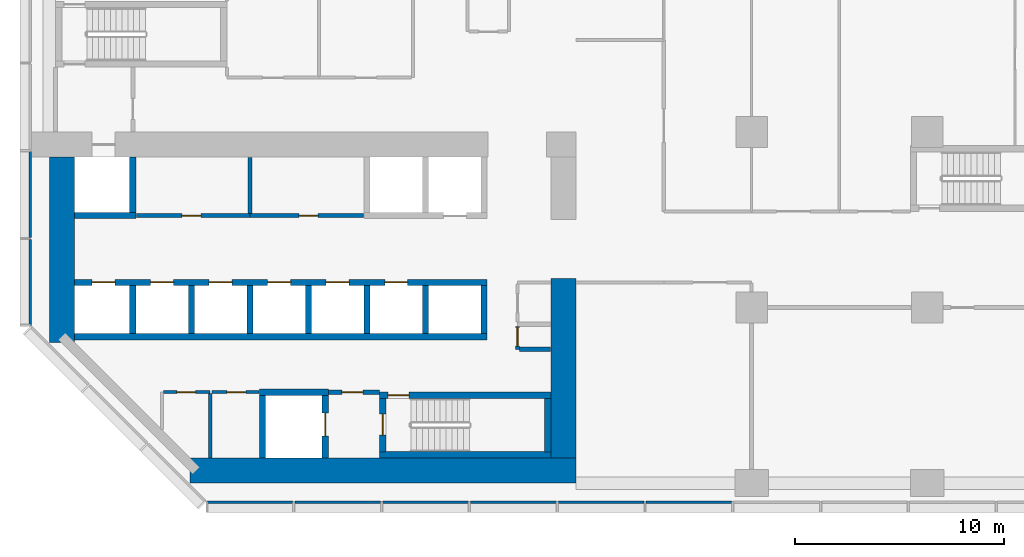
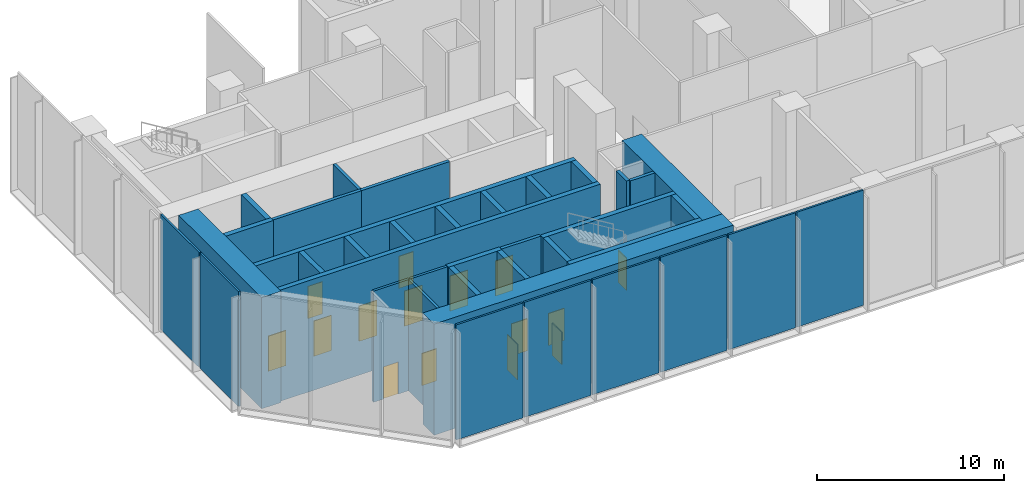
# One storey, part 7 of 16: 38 walls, 15 doors, 15 openings.
"""IFC4 building model written with IfcOpenShell, lengths in metres."""

from ifc_helpers import new_model, si_unit, direction, frame, frame_2d, origin, place, context, subcontext, project, spatial, polyline, rectangle, outline, extrude, material, layer, layer_set, type_object, element, fill, save


model = new_model("IFC4")

# Units and contexts
model_context = context("Model", 3, precision=1e-05, world=origin(), true_north=direction((0.0, 1.0)))
body_context = subcontext(model_context, "Body", "Model", "MODEL_VIEW")
ifc_project = project(units=[si_unit("LENGTHUNIT", "METRE"), si_unit("AREAUNIT", "SQUARE_METRE"), si_unit("VOLUMEUNIT", "CUBIC_METRE"), si_unit("PLANEANGLEUNIT", "RADIAN"), si_unit("MASSUNIT", "GRAM", prefix="KILO")], contexts=[model_context])

# Site, building, storey
site_placement = place(None, origin())
site = spatial("IfcSite", under=ifc_project, at=site_placement, CompositionType="ELEMENT")
building_placement = place(site_placement, origin())
building = spatial("IfcBuilding", under=site, at=building_placement, Name="Brevane Broadcast Tower", CompositionType="ELEMENT")
storey_placement = place(building_placement, frame((0.0, 0.0, 12.5)))
storey = spatial("IfcBuildingStorey", under=building, at=storey_placement, Name="L02", CompositionType="ELEMENT", Elevation=12.5)

# Wall, opening, door
ifc_material_1 = material(Name="Gypsum board on steel studs", Category="steel")
ifc_layer_1 = layer(ifc_material_1, 0.14990234375)
ifc_layer_set_1 = layer_set([ifc_layer_1], Name="Core fire partition 150 mm")
wall_type_1 = type_object("IfcWallType", Name="Core fire partition 150 mm", PredefinedType="PARTITIONING", material=ifc_layer_set_1)
wall_1_placement = place(storey_placement, frame((5.47509765625, 4.35009765625, 0.0), z_axis=(0.0, 0.0, 1.0), x_axis=(1.0, 0.0, 0.0)))
wall_1 = element("IfcWall", 1, at=wall_1_placement, inside=storey, type_object=wall_type_1, Name="L02 partition wall P11", PredefinedType="PARTITIONING", context=body_context, shape_type="SweptSolid", body=[
    extrude(rectangle(XDim=2.224853515625, YDim=0.14990234375, at=frame_2d((1.1123046875, 0.0))), origin(), (0.0, 0.0, 1.0), 7.25),
])
opening_1_placement = place(wall_1_placement, frame((0.625, 0.0, 0.0)))
opening_1 = element("IfcOpeningElement", 2, at=opening_1_placement, cuts=wall_1, Name="Opening L02-K19", PredefinedType="OPENING", context=body_context, shape_type="SweptSolid", body=[
    extrude(rectangle(XDim=0.89990234375, YDim=2.10009765625, at=frame_2d((0.449951171875, 1.050048828125))), frame((0.0, 0.0849609375, 0.0), z_axis=(0.0, -1.0, 0.0), x_axis=(1.0, 0.0, 0.0)), (0.0, 0.0, 1.0), 0.169921875),
])
ifc_material_2 = material(Name="Timber", Category="wood")
door_type_1 = type_object("IfcDoorType", Name="Toilet door 900 x 2100", OperationType="SINGLE_SWING_LEFT", PredefinedType="DOOR", material=ifc_material_2)
door_1_placement = place(opening_1_placement, origin())
door_1 = element("IfcDoor", 3, at=door_1_placement, inside=storey, type_object=door_type_1, Name="Door L02-K19", OperationType="SINGLE_SWING_LEFT", OverallHeight=2.10009765625, OverallWidth=0.89990234375, PredefinedType="DOOR", context=body_context, shape_type="SweptSolid", body=[
    extrude(rectangle(XDim=0.89990234375, YDim=2.10009765625, at=frame_2d((0.449951171875, 1.050048828125))), frame((0.0, 0.02490234375, 0.0), z_axis=(0.0, -1.0, 0.0), x_axis=(1.0, 0.0, 0.0)), (0.0, 0.0, 1.0), 0.050048828125),
])
fill(opening_1, door_1)

# Wall
wall_2_placement = place(storey_placement, frame((7.699951171875, 4.27490234375, 0.0), z_axis=(0.0, 0.0, 1.0), x_axis=(0.0, -1.0, 0.0)))
element("IfcWall", 4, at=wall_2_placement, inside=storey, type_object=wall_type_1, Name="L02 partition wall P12", PredefinedType="PARTITIONING", context=body_context, shape_type="SweptSolid", body=[
    extrude(rectangle(XDim=3.06298828125, YDim=0.14990234375, at=frame_2d((1.531494140625, 0.0))), origin(), (0.0, 0.0, 1.0), 7.25),
])

# Wall, opening, door
wall_3_placement = place(storey_placement, frame((10.0380859375, 4.35009765625, 0.0), z_axis=(0.0, 0.0, 1.0), x_axis=(-1.0, 0.0, 0.0)))
wall_3 = element("IfcWall", 5, at=wall_3_placement, inside=storey, type_object=wall_type_1, Name="L02 partition wall P13", PredefinedType="PARTITIONING", context=body_context, shape_type="SweptSolid", body=[
    extrude(rectangle(XDim=2.26318359375, YDim=0.14990234375, at=frame_2d((1.131591796875, 0.0))), origin(), (0.0, 0.0, 1.0), 7.25),
])
opening_2_placement = place(wall_3_placement, frame((0.637939453125, 0.0, 0.0)))
opening_2 = element("IfcOpeningElement", 6, at=opening_2_placement, cuts=wall_3, Name="Opening L02-K20", PredefinedType="OPENING", context=body_context, shape_type="SweptSolid", body=[
    extrude(rectangle(XDim=0.89990234375, YDim=2.10009765625, at=frame_2d((0.449951171875, 1.050048828125))), frame((0.0, 0.0849609375, 0.0), z_axis=(0.0, -1.0, 0.0), x_axis=(1.0, 0.0, 0.0)), (0.0, 0.0, 1.0), 0.169921875),
])
door_2_placement = place(opening_2_placement, origin())
door_2 = element("IfcDoor", 7, at=door_2_placement, inside=storey, type_object=door_type_1, Name="Door L02-K20", OperationType="SINGLE_SWING_RIGHT", OverallHeight=2.10009765625, OverallWidth=0.89990234375, PredefinedType="DOOR", context=body_context, shape_type="SweptSolid", body=[
    extrude(rectangle(XDim=0.89990234375, YDim=2.10009765625, at=frame_2d((0.449951171875, 1.050048828125))), frame((0.0, 0.02490234375, 0.0), z_axis=(0.0, -1.0, 0.0), x_axis=(1.0, 0.0, 0.0)), (0.0, 0.0, 1.0), 0.050048828125),
])
fill(opening_2, door_2)

ifc_layer_2 = layer(ifc_material_1, 0.199951171875)
ifc_layer_set_2 = layer_set([ifc_layer_2], Name="Core fire partition 200 mm")
wall_type_2 = type_object("IfcWallType", Name="Core fire partition 200 mm", PredefinedType="PARTITIONING", material=ifc_layer_set_2)
wall_4_placement = place(storey_placement, frame((13.362060546875, 4.35009765625, 0.0), z_axis=(0.0, 0.0, 1.0), x_axis=(1.0, 0.0, 0.0)))
wall_4 = element("IfcWall", 8, at=wall_4_placement, inside=storey, type_object=wall_type_2, Name="L02 partition wall P03", PredefinedType="PARTITIONING", context=body_context, shape_type="SweptSolid", body=[
    extrude(rectangle(XDim=2.426025390625, YDim=0.199951171875, at=frame_2d((1.212890625, 0.0))), origin(), (0.0, 0.0, 1.0), 7.25),
])
opening_3_placement = place(wall_4_placement, frame((0.637939453125, 0.0, 0.0)))
opening_3 = element("IfcOpeningElement", 9, at=opening_3_placement, cuts=wall_4, Name="Opening L02-K21", PredefinedType="OPENING", context=body_context, shape_type="SweptSolid", body=[
    extrude(rectangle(XDim=1.0, YDim=2.10009765625, at=frame_2d((0.5, 1.050048828125))), frame((0.0, 0.10986328125, 0.0), z_axis=(0.0, -1.0, 0.0), x_axis=(1.0, 0.0, 0.0)), (0.0, 0.0, 1.0), 0.219970703125),
])
ifc_material_3 = material(Name="Steel", Category="steel")
door_type_2 = type_object("IfcDoorType", Name="Stair door 1000 x 2100", OperationType="SINGLE_SWING_LEFT", PredefinedType="DOOR", material=ifc_material_3)
door_3_placement = place(opening_3_placement, origin())
door_3 = element("IfcDoor", 10, at=door_3_placement, inside=storey, type_object=door_type_2, Name="Door L02-K21", OperationType="SINGLE_SWING_LEFT", OverallHeight=2.10009765625, OverallWidth=1.0, PredefinedType="DOOR", context=body_context, shape_type="SweptSolid", body=[
    extrude(rectangle(XDim=1.0, YDim=2.10009765625, at=frame_2d((0.5, 1.050048828125))), frame((0.0, 0.02490234375, 0.0), z_axis=(0.0, -1.0, 0.0), x_axis=(1.0, 0.0, 0.0)), (0.0, 0.0, 1.0), 0.050048828125),
])
fill(opening_3, door_3)

wall_5_placement = place(storey_placement, frame((4.162109375, 12.800048828125, 0.0), z_axis=(0.0, 0.0, 1.0), x_axis=(1.0, 0.0, 0.0)))
wall_5 = element("IfcWall", 11, at=wall_5_placement, inside=storey, type_object=wall_type_2, Name="L02 partition wall P04", PredefinedType="PARTITIONING", context=body_context, shape_type="SweptSolid", body=[
    extrude(rectangle(XDim=5.43798828125, YDim=0.199951171875, at=frame_2d((2.718994140625, 0.0))), origin(), (0.0, 0.0, 1.0), 7.25),
])
opening_4_placement = place(wall_5_placement, frame((2.18798828125, 0.0, 0.0)))
opening_4 = element("IfcOpeningElement", 12, at=opening_4_placement, cuts=wall_5, Name="Opening L02-K24", PredefinedType="OPENING", context=body_context, shape_type="SweptSolid", body=[
    extrude(rectangle(XDim=0.89990234375, YDim=2.10009765625, at=frame_2d((0.449951171875, 1.050048828125))), frame((0.0, 0.10986328125, 0.0), z_axis=(0.0, -1.0, 0.0), x_axis=(1.0, 0.0, 0.0)), (0.0, 0.0, 1.0), 0.219970703125),
])
door_type_3 = type_object("IfcDoorType", Name="Service room door 900 x 2100", OperationType="SINGLE_SWING_LEFT", PredefinedType="DOOR", material=ifc_material_3)
door_4_placement = place(opening_4_placement, origin())
door_4 = element("IfcDoor", 13, at=door_4_placement, inside=storey, type_object=door_type_3, Name="Door L02-K24", OperationType="SINGLE_SWING_RIGHT", OverallHeight=2.10009765625, OverallWidth=0.89990234375, PredefinedType="DOOR", context=body_context, shape_type="SweptSolid", body=[
    extrude(rectangle(XDim=0.89990234375, YDim=2.10009765625, at=frame_2d((0.449951171875, 1.050048828125))), frame((0.0, 0.02490234375, 0.0), z_axis=(0.0, -1.0, 0.0), x_axis=(1.0, 0.0, 0.0)), (0.0, 0.0, 1.0), 0.050048828125),
])
fill(opening_4, door_4)

wall_6_placement = place(storey_placement, frame((9.60009765625, 12.800048828125, 0.0), z_axis=(0.0, 0.0, 1.0), x_axis=(1.0, 0.0, 0.0)))
wall_6 = element("IfcWall", 14, at=wall_6_placement, inside=storey, type_object=wall_type_2, Name="L02 partition wall P05", PredefinedType="PARTITIONING", context=body_context, shape_type="SweptSolid", body=[
    extrude(rectangle(XDim=5.43798828125, YDim=0.199951171875, at=frame_2d((2.718994140625, 0.0))), origin(), (0.0, 0.0, 1.0), 7.25),
])
opening_5_placement = place(wall_6_placement, frame((2.35009765625, 0.0, 0.0)))
opening_5 = element("IfcOpeningElement", 15, at=opening_5_placement, cuts=wall_6, Name="Opening L02-K25", PredefinedType="OPENING", context=body_context, shape_type="SweptSolid", body=[
    extrude(rectangle(XDim=0.89990234375, YDim=2.10009765625, at=frame_2d((0.449951171875, 1.050048828125))), frame((0.0, 0.10986328125, 0.0), z_axis=(0.0, -1.0, 0.0), x_axis=(1.0, 0.0, 0.0)), (0.0, 0.0, 1.0), 0.219970703125),
])
door_5_placement = place(opening_5_placement, origin())
door_5 = element("IfcDoor", 16, at=door_5_placement, inside=storey, type_object=door_type_3, Name="Door L02-K25", OperationType="SINGLE_SWING_LEFT", OverallHeight=2.10009765625, OverallWidth=0.89990234375, PredefinedType="DOOR", context=body_context, shape_type="SweptSolid", body=[
    extrude(rectangle(XDim=0.89990234375, YDim=2.10009765625, at=frame_2d((0.449951171875, 1.050048828125))), frame((0.0, 0.02490234375, 0.0), z_axis=(0.0, -1.0, 0.0), x_axis=(1.0, 0.0, 0.0)), (0.0, 0.0, 1.0), 0.050048828125),
])
fill(opening_5, door_5)

# Wall
wall_7_placement = place(storey_placement, frame((9.60009765625, 15.587890625, 0.0), z_axis=(0.0, 0.0, 1.0), x_axis=(0.0, -1.0, 0.0)))
element("IfcWall", 17, at=wall_7_placement, inside=storey, type_object=wall_type_2, Name="L02 partition wall P06", PredefinedType="PARTITIONING", context=body_context, shape_type="SweptSolid", body=[
    extrude(rectangle(XDim=2.68798828125, YDim=0.199951171875, at=frame_2d((1.343994140625, 0.0))), origin(), (0.0, 0.0, 1.0), 7.25),
])

# Wall, opening, door
wall_8_placement = place(storey_placement, frame((22.39990234375, 7.5, 0.0), z_axis=(0.0, 0.0, 1.0), x_axis=(0.0, -1.0, 0.0)))
wall_8 = element("IfcWall", 18, at=wall_8_placement, inside=storey, type_object=wall_type_2, Name="L02 partition wall P08", PredefinedType="PARTITIONING", context=body_context, shape_type="SweptSolid", body=[
    extrude(rectangle(XDim=1.10009765625, YDim=0.199951171875, at=frame_2d((0.550048828125, 0.0))), origin(), (0.0, 0.0, 1.0), 7.25),
])
opening_6_placement = place(wall_8_placement, frame((0.050048828125, 0.0, 0.0)))
opening_6 = element("IfcOpeningElement", 19, at=opening_6_placement, cuts=wall_8, Name="Opening L02-K22", PredefinedType="OPENING", context=body_context, shape_type="SweptSolid", body=[
    extrude(rectangle(XDim=0.89990234375, YDim=2.10009765625, at=frame_2d((0.449951171875, 1.050048828125))), frame((0.0, 0.10986328125, 0.0), z_axis=(0.0, -1.0, 0.0), x_axis=(1.0, 0.0, 0.0)), (0.0, 0.0, 1.0), 0.219970703125),
])
door_6_placement = place(opening_6_placement, origin())
door_6 = element("IfcDoor", 20, at=door_6_placement, inside=storey, type_object=door_type_3, Name="Door L02-K22", OperationType="SINGLE_SWING_RIGHT", OverallHeight=2.10009765625, OverallWidth=0.89990234375, PredefinedType="DOOR", context=body_context, shape_type="SweptSolid", body=[
    extrude(rectangle(XDim=0.89990234375, YDim=2.10009765625, at=frame_2d((0.449951171875, 1.050048828125))), frame((0.0, 0.02490234375, 0.0), z_axis=(0.0, -1.0, 0.0), x_axis=(1.0, 0.0, 0.0)), (0.0, 0.0, 1.0), 0.050048828125),
])
fill(opening_6, door_6)

# Walls
wall_9_placement = place(storey_placement, frame((22.5, 6.39990234375, 0.0), z_axis=(0.0, 0.0, 1.0), x_axis=(1.0, 0.0, 0.0)))
element("IfcWall", 21, at=wall_9_placement, inside=storey, type_object=wall_type_2, Name="L02 partition wall P09", PredefinedType="PARTITIONING", context=body_context, shape_type="SweptSolid", body=[
    extrude(rectangle(XDim=1.488037109375, YDim=0.199951171875, at=frame_2d((0.744140625, 0.0))), origin(), (0.0, 0.0, 1.0), 7.25),
])
ifc_material_4 = material(Name="Concrete C80/95", Category="concrete")
ifc_layer_3 = layer(ifc_material_4, 1.199951171875)
ifc_layer_set_3 = layer_set([ifc_layer_3], Name="Core wall 1200 mm C80/95")
wall_type_3 = type_object("IfcWallType", Name="Core wall 1200 mm C80/95", PredefinedType="SHEAR", material=ifc_layer_set_3)
wall_10_placement = place(storey_placement, frame((6.736328125, 0.60009765625, 0.0), z_axis=(0.0, 0.0, 1.0), x_axis=(1.0, 0.0, 0.0)))
element("IfcWall", 22, at=wall_10_placement, inside=storey, type_object=wall_type_3, Name="L02 outer wall WS", PredefinedType="SHEAR", context=body_context, shape_type="SweptSolid", body=[
    extrude(rectangle(XDim=18.463623046875, YDim=1.199951171875, at=frame_2d((9.23193359375, 0.0))), origin(), (0.0, 0.0, 1.0), 7.25),
])
wall_11_placement = place(storey_placement, frame((0.60009765625, 6.736328125, 0.0), z_axis=(0.0, 0.0, 1.0), x_axis=(0.0, 1.0, 0.0)))
element("IfcWall", 23, at=wall_11_placement, inside=storey, type_object=wall_type_3, Name="L02 outer wall WW", PredefinedType="SHEAR", context=body_context, shape_type="SweptSolid", body=[
    extrude(rectangle(XDim=8.86376953125, YDim=1.199951171875, at=frame_2d((4.431884765625, 0.0))), origin(), (0.0, 0.0, 1.0), 7.25),
])
wall_12_placement = place(storey_placement, frame((24.60009765625, 1.199951171875, 0.0), z_axis=(0.0, 0.0, 1.0), x_axis=(0.0, 1.0, 0.0)))
element("IfcWall", 24, at=wall_12_placement, inside=storey, type_object=wall_type_3, Name="L02 outer wall WE1", PredefinedType="SHEAR", context=body_context, shape_type="SweptSolid", body=[
    extrude(rectangle(XDim=8.60009765625, YDim=1.199951171875, at=frame_2d((4.300048828125, 0.0))), origin(), (0.0, 0.0, 1.0), 7.25),
])
ifc_layer_4 = layer(ifc_material_4, 0.300048828125)
ifc_layer_set_4 = layer_set([ifc_layer_4], Name="Core wall 300 mm C80/95")
wall_type_4 = type_object("IfcWallType", Name="Core wall 300 mm C80/95", PredefinedType="SHEAR", material=ifc_layer_set_4)
wall_13_placement = place(storey_placement, frame((1.199951171875, 7.0, 0.0), z_axis=(0.0, 0.0, 1.0), x_axis=(1.0, 0.0, 0.0)))
element("IfcWall", 25, at=wall_13_placement, inside=storey, type_object=wall_type_4, Name="L02 shaft wall SH-S012-back", PredefinedType="SHEAR", context=body_context, shape_type="SweptSolid", body=[
    extrude(rectangle(XDim=19.75, YDim=0.300048828125, at=frame_2d((9.875, 0.0))), origin(), (0.0, 0.0, 1.0), 7.25),
])

# Wall, openings, doors
wall_14_placement = place(storey_placement, frame((1.199951171875, 9.60009765625, 0.0), z_axis=(0.0, 0.0, 1.0), x_axis=(1.0, 0.0, 0.0)))
wall_14 = element("IfcWall", 26, at=wall_14_placement, inside=storey, type_object=wall_type_4, Name="L02 shaft wall SH-S012-front", PredefinedType="SHEAR", context=body_context, shape_type="SweptSolid", body=[
    extrude(rectangle(XDim=19.75, YDim=0.300048828125, at=frame_2d((9.875, 0.0))), origin(), (0.0, 0.0, 1.0), 7.25),
])
opening_7_placement = place(wall_14_placement, frame((0.85009765625, 0.0, 0.0)))
opening_7 = element("IfcOpeningElement", 27, at=opening_7_placement, cuts=wall_14, Name="Opening LD", PredefinedType="OPENING", context=body_context, shape_type="SweptSolid", body=[
    extrude(rectangle(XDim=1.10009765625, YDim=2.300048828125, at=frame_2d((0.550048828125, 1.14990234375))), frame((0.0, 0.159912109375, 0.0), z_axis=(0.0, -1.0, 0.0), x_axis=(1.0, 0.0, 0.0)), (0.0, 0.0, 1.0), 0.320068359375),
])
opening_8_placement = place(wall_14_placement, frame((3.64990234375, 0.0, 0.0)))
opening_8 = element("IfcOpeningElement", 28, at=opening_8_placement, cuts=wall_14, Name="Opening LD", PredefinedType="OPENING", context=body_context, shape_type="SweptSolid", body=[
    extrude(rectangle(XDim=1.10009765625, YDim=2.300048828125, at=frame_2d((0.550048828125, 1.14990234375))), frame((0.0, 0.159912109375, 0.0), z_axis=(0.0, -1.0, 0.0), x_axis=(1.0, 0.0, 0.0)), (0.0, 0.0, 1.0), 0.320068359375),
])
opening_9_placement = place(wall_14_placement, frame((6.449951171875, 0.0, 0.0)))
opening_9 = element("IfcOpeningElement", 29, at=opening_9_placement, cuts=wall_14, Name="Opening LD", PredefinedType="OPENING", context=body_context, shape_type="SweptSolid", body=[
    extrude(rectangle(XDim=1.10009765625, YDim=2.300048828125, at=frame_2d((0.550048828125, 1.14990234375))), frame((0.0, 0.159912109375, 0.0), z_axis=(0.0, -1.0, 0.0), x_axis=(1.0, 0.0, 0.0)), (0.0, 0.0, 1.0), 0.320068359375),
])
opening_10_placement = place(wall_14_placement, frame((9.25, 0.0, 0.0)))
opening_10 = element("IfcOpeningElement", 30, at=opening_10_placement, cuts=wall_14, Name="Opening LD", PredefinedType="OPENING", context=body_context, shape_type="SweptSolid", body=[
    extrude(rectangle(XDim=1.10009765625, YDim=2.300048828125, at=frame_2d((0.550048828125, 1.14990234375))), frame((0.0, 0.159912109375, 0.0), z_axis=(0.0, -1.0, 0.0), x_axis=(1.0, 0.0, 0.0)), (0.0, 0.0, 1.0), 0.320068359375),
])
opening_11_placement = place(wall_14_placement, frame((12.050048828125, 0.0, 0.0)))
opening_11 = element("IfcOpeningElement", 31, at=opening_11_placement, cuts=wall_14, Name="Opening LD", PredefinedType="OPENING", context=body_context, shape_type="SweptSolid", body=[
    extrude(rectangle(XDim=1.10009765625, YDim=2.300048828125, at=frame_2d((0.550048828125, 1.14990234375))), frame((0.0, 0.159912109375, 0.0), z_axis=(0.0, -1.0, 0.0), x_axis=(1.0, 0.0, 0.0)), (0.0, 0.0, 1.0), 0.320068359375),
])
opening_12_placement = place(wall_14_placement, frame((14.85009765625, 0.0, 0.0)))
opening_12 = element("IfcOpeningElement", 32, at=opening_12_placement, cuts=wall_14, Name="Opening LD", PredefinedType="OPENING", context=body_context, shape_type="SweptSolid", body=[
    extrude(rectangle(XDim=1.10009765625, YDim=2.300048828125, at=frame_2d((0.550048828125, 1.14990234375))), frame((0.0, 0.159912109375, 0.0), z_axis=(0.0, -1.0, 0.0), x_axis=(1.0, 0.0, 0.0)), (0.0, 0.0, 1.0), 0.320068359375),
])
ifc_material_5 = material(Name="Stainless steel", Category="steel")
door_type_4 = type_object("IfcDoorType", Name="Lift landing door", OperationType="SLIDING_TO_LEFT", PredefinedType="DOOR", material=ifc_material_5)
door_7_placement = place(opening_7_placement, origin())
door_7 = element("IfcDoor", 33, at=door_7_placement, inside=storey, type_object=door_type_4, Name="Landing door LR1 L02", OperationType="SLIDING_TO_LEFT", OverallHeight=2.300048828125, OverallWidth=1.10009765625, PredefinedType="DOOR", context=body_context, shape_type="SweptSolid", body=[
    extrude(rectangle(XDim=1.10009765625, YDim=2.300048828125, at=frame_2d((0.550048828125, 1.14990234375))), frame((0.0, 0.02490234375, 0.0), z_axis=(0.0, -1.0, 0.0), x_axis=(1.0, 0.0, 0.0)), (0.0, 0.0, 1.0), 0.050048828125),
])
fill(opening_7, door_7)
door_8_placement = place(opening_8_placement, origin())
door_8 = element("IfcDoor", 34, at=door_8_placement, inside=storey, type_object=door_type_4, Name="Landing door LR2 L02", OperationType="SLIDING_TO_LEFT", OverallHeight=2.300048828125, OverallWidth=1.10009765625, PredefinedType="DOOR", context=body_context, shape_type="SweptSolid", body=[
    extrude(rectangle(XDim=1.10009765625, YDim=2.300048828125, at=frame_2d((0.550048828125, 1.14990234375))), frame((0.0, 0.02490234375, 0.0), z_axis=(0.0, -1.0, 0.0), x_axis=(1.0, 0.0, 0.0)), (0.0, 0.0, 1.0), 0.050048828125),
])
fill(opening_8, door_8)
door_9_placement = place(opening_9_placement, origin())
door_9 = element("IfcDoor", 35, at=door_9_placement, inside=storey, type_object=door_type_4, Name="Landing door LR3 L02", OperationType="SLIDING_TO_LEFT", OverallHeight=2.300048828125, OverallWidth=1.10009765625, PredefinedType="DOOR", context=body_context, shape_type="SweptSolid", body=[
    extrude(rectangle(XDim=1.10009765625, YDim=2.300048828125, at=frame_2d((0.550048828125, 1.14990234375))), frame((0.0, 0.02490234375, 0.0), z_axis=(0.0, -1.0, 0.0), x_axis=(1.0, 0.0, 0.0)), (0.0, 0.0, 1.0), 0.050048828125),
])
fill(opening_9, door_9)
door_10_placement = place(opening_10_placement, origin())
door_10 = element("IfcDoor", 36, at=door_10_placement, inside=storey, type_object=door_type_4, Name="Landing door LR4 L02", OperationType="SLIDING_TO_LEFT", OverallHeight=2.300048828125, OverallWidth=1.10009765625, PredefinedType="DOOR", context=body_context, shape_type="SweptSolid", body=[
    extrude(rectangle(XDim=1.10009765625, YDim=2.300048828125, at=frame_2d((0.550048828125, 1.14990234375))), frame((0.0, 0.02490234375, 0.0), z_axis=(0.0, -1.0, 0.0), x_axis=(1.0, 0.0, 0.0)), (0.0, 0.0, 1.0), 0.050048828125),
])
fill(opening_10, door_10)
door_11_placement = place(opening_11_placement, origin())
door_11 = element("IfcDoor", 37, at=door_11_placement, inside=storey, type_object=door_type_4, Name="Landing door LR5 L02", OperationType="SLIDING_TO_LEFT", OverallHeight=2.300048828125, OverallWidth=1.10009765625, PredefinedType="DOOR", context=body_context, shape_type="SweptSolid", body=[
    extrude(rectangle(XDim=1.10009765625, YDim=2.300048828125, at=frame_2d((0.550048828125, 1.14990234375))), frame((0.0, 0.02490234375, 0.0), z_axis=(0.0, -1.0, 0.0), x_axis=(1.0, 0.0, 0.0)), (0.0, 0.0, 1.0), 0.050048828125),
])
fill(opening_11, door_11)
door_12_placement = place(opening_12_placement, origin())
door_12 = element("IfcDoor", 38, at=door_12_placement, inside=storey, type_object=door_type_4, Name="Landing door LR6 L02", OperationType="SLIDING_TO_LEFT", OverallHeight=2.300048828125, OverallWidth=1.10009765625, PredefinedType="DOOR", context=body_context, shape_type="SweptSolid", body=[
    extrude(rectangle(XDim=1.10009765625, YDim=2.300048828125, at=frame_2d((0.550048828125, 1.14990234375))), frame((0.0, 0.02490234375, 0.0), z_axis=(0.0, -1.0, 0.0), x_axis=(1.0, 0.0, 0.0)), (0.0, 0.0, 1.0), 0.050048828125),
])
fill(opening_12, door_12)

# Walls
for number, where, z_axis, x_axis, name in (
    (39, (4.0, 7.14990234375, 0.0), (0.0, 0.0, 1.0), (0.0, 1.0, 0.0), "L02 shaft wall SH-S-P040"),
    (40, (6.800048828125, 7.14990234375, 0.0), (0.0, 0.0, 1.0), (0.0, 1.0, 0.0), "L02 shaft wall SH-S-P068"),
    (41, (9.60009765625, 7.14990234375, 0.0), (0.0, 0.0, 1.0), (0.0, 1.0, 0.0), "L02 shaft wall SH-S-P096"),
    (42, (12.39990234375, 7.14990234375, 0.0), (0.0, 0.0, 1.0), (0.0, 1.0, 0.0), "L02 shaft wall SH-S-P124"),
    (43, (15.199951171875, 7.14990234375, 0.0), (0.0, 0.0, 1.0), (0.0, 1.0, 0.0), "L02 shaft wall SH-S-P152"),
    (44, (18.0, 7.14990234375, 0.0), (0.0, 0.0, 1.0), (0.0, 1.0, 0.0), "L02 shaft wall SH-S-P180"),
    (45, (20.800048828125, 7.14990234375, 0.0), (0.0, 0.0, 1.0), (0.0, 1.0, 0.0), "L02 shaft wall SH-S-P208"),
):
    element("IfcWall", number, at=place(storey_placement, frame(where, z_axis=z_axis, x_axis=x_axis)), inside=storey, type_object=wall_type_4, Name=name, PredefinedType="SHEAR", context=body_context, shape_type="SweptSolid", body=[
        extrude(rectangle(XDim=2.300048828125, YDim=0.300048828125, at=frame_2d((1.14990234375, 0.0))), origin(), (0.0, 0.0, 1.0), 7.25),
    ])
wall_15_placement = place(storey_placement, frame((1.199951171875, 12.800048828125, 0.0), z_axis=(0.0, 0.0, 1.0), x_axis=(1.0, 0.0, 0.0)))
element("IfcWall", 46, at=wall_15_placement, inside=storey, type_object=wall_type_4, Name="L02 shaft wall SH-N012-front", PredefinedType="SHEAR", context=body_context, shape_type="SweptSolid", body=[
    extrude(rectangle(XDim=2.949951171875, YDim=0.300048828125, at=frame_2d((1.47509765625, 0.0))), origin(), (0.0, 0.0, 1.0), 7.25),
])
wall_16_placement = place(storey_placement, frame((4.0, 12.949951171875, 0.0), z_axis=(0.0, 0.0, 1.0), x_axis=(0.0, 1.0, 0.0)))
element("IfcWall", 47, at=wall_16_placement, inside=storey, type_object=wall_type_4, Name="L02 shaft wall SH-N-P040", PredefinedType="SHEAR", context=body_context, shape_type="SweptSolid", body=[
    extrude(rectangle(XDim=2.650146484375, YDim=0.300048828125, at=frame_2d((1.3251953125, 0.0))), origin(), (0.0, 0.0, 1.0), 7.25),
])
wall_17_placement = place(storey_placement, frame((10.199951171875, 1.199951171875, 0.0), z_axis=(0.0, 0.0, 1.0), x_axis=(0.0, 1.0, 0.0)))
element("IfcWall", 48, at=wall_17_placement, inside=storey, type_object=wall_type_4, Name="L02 shaft wall FF2-W", PredefinedType="SHEAR", context=body_context, shape_type="SweptSolid", body=[
    extrude(rectangle(XDim=3.0, YDim=0.300048828125, at=frame_2d((1.5, 0.0))), origin(), (0.0, 0.0, 1.0), 7.25),
])

# Wall, opening, door
wall_18_placement = place(storey_placement, frame((13.199951171875, 1.199951171875, 0.0), z_axis=(0.0, 0.0, 1.0), x_axis=(0.0, 1.0, 0.0)))
wall_18 = element("IfcWall", 49, at=wall_18_placement, inside=storey, type_object=wall_type_4, Name="L02 shaft wall FF2-E", PredefinedType="SHEAR", context=body_context, shape_type="SweptSolid", body=[
    extrude(rectangle(XDim=3.0, YDim=0.300048828125, at=frame_2d((1.5, 0.0))), origin(), (0.0, 0.0, 1.0), 7.25),
])
opening_13_placement = place(wall_18_placement, frame((1.050048828125, 0.0, 0.0)))
opening_13 = element("IfcOpeningElement", 50, at=opening_13_placement, cuts=wall_18, Name="Opening LD", PredefinedType="OPENING", context=body_context, shape_type="SweptSolid", body=[
    extrude(rectangle(XDim=1.10009765625, YDim=2.300048828125, at=frame_2d((0.550048828125, 1.14990234375))), frame((0.0, 0.159912109375, 0.0), z_axis=(0.0, -1.0, 0.0), x_axis=(1.0, 0.0, 0.0)), (0.0, 0.0, 1.0), 0.320068359375),
])
door_13_placement = place(opening_13_placement, origin())
door_13 = element("IfcDoor", 51, at=door_13_placement, inside=storey, type_object=door_type_4, Name="Landing door FF2 L02", OperationType="SLIDING_TO_LEFT", OverallHeight=2.300048828125, OverallWidth=1.10009765625, PredefinedType="DOOR", context=body_context, shape_type="SweptSolid", body=[
    extrude(rectangle(XDim=1.10009765625, YDim=2.300048828125, at=frame_2d((0.550048828125, 1.14990234375))), frame((0.0, 0.02490234375, 0.0), z_axis=(0.0, -1.0, 0.0), x_axis=(1.0, 0.0, 0.0)), (0.0, 0.0, 1.0), 0.050048828125),
])
fill(opening_13, door_13)

# Walls
wall_19_placement = place(storey_placement, frame((10.050048828125, 4.35009765625, 0.0), z_axis=(0.0, 0.0, 1.0), x_axis=(1.0, 0.0, 0.0)))
element("IfcWall", 52, at=wall_19_placement, inside=storey, type_object=wall_type_4, Name="L02 shaft wall FF2-N", PredefinedType="SHEAR", context=body_context, shape_type="SweptSolid", body=[
    extrude(rectangle(XDim=3.300048828125, YDim=0.300048828125, at=frame_2d((1.64990234375, 0.0))), origin(), (0.0, 0.0, 1.0), 7.25),
])
wall_20_placement = place(storey_placement, frame((15.800048828125, 1.35009765625, 0.0), z_axis=(0.0, 0.0, 1.0), x_axis=(1.0, 0.0, 0.0)))
element("IfcWall", 53, at=wall_20_placement, inside=storey, type_object=wall_type_4, Name="L02 stair wall ST-2-S", PredefinedType="SHEAR", context=body_context, shape_type="SweptSolid", body=[
    extrude(rectangle(XDim=8.199951171875, YDim=0.300048828125, at=frame_2d((4.10009765625, 0.0))), origin(), (0.0, 0.0, 1.0), 7.25),
])

# Wall, opening, door
wall_21_placement = place(storey_placement, frame((15.800048828125, 4.199951171875, 0.0), z_axis=(0.0, 0.0, 1.0), x_axis=(1.0, 0.0, 0.0)))
wall_21 = element("IfcWall", 54, at=wall_21_placement, inside=storey, type_object=wall_type_4, Name="L02 stair wall ST-2-N", PredefinedType="SHEAR", context=body_context, shape_type="SweptSolid", body=[
    extrude(rectangle(XDim=8.199951171875, YDim=0.300048828125, at=frame_2d((4.10009765625, 0.0))), origin(), (0.0, 0.0, 1.0), 7.25),
])
opening_14_placement = place(wall_21_placement, frame((0.39990234375, 0.0, 0.0)))
opening_14 = element("IfcOpeningElement", 55, at=opening_14_placement, cuts=wall_21, Name="Opening L02-K14", PredefinedType="OPENING", context=body_context, shape_type="SweptSolid", body=[
    extrude(rectangle(XDim=1.0, YDim=2.10009765625, at=frame_2d((0.5, 1.050048828125))), frame((0.0, 0.159912109375, 0.0), z_axis=(0.0, -1.0, 0.0), x_axis=(1.0, 0.0, 0.0)), (0.0, 0.0, 1.0), 0.320068359375),
])
door_14_placement = place(opening_14_placement, origin())
door_14 = element("IfcDoor", 56, at=door_14_placement, inside=storey, type_object=door_type_2, Name="Door L02-K14", OperationType="SINGLE_SWING_RIGHT", OverallHeight=2.10009765625, OverallWidth=1.0, PredefinedType="DOOR", context=body_context, shape_type="SweptSolid", body=[
    extrude(rectangle(XDim=1.0, YDim=2.10009765625, at=frame_2d((0.5, 1.050048828125))), frame((0.0, 0.02490234375, 0.0), z_axis=(0.0, -1.0, 0.0), x_axis=(1.0, 0.0, 0.0)), (0.0, 0.0, 1.0), 0.050048828125),
])
fill(opening_14, door_14)

wall_22_placement = place(storey_placement, frame((15.949951171875, 1.5, 0.0), z_axis=(0.0, 0.0, 1.0), x_axis=(0.0, 1.0, 0.0)))
wall_22 = element("IfcWall", 57, at=wall_22_placement, inside=storey, type_object=wall_type_4, Name="L02 stair wall ST-2-W", PredefinedType="SHEAR", context=body_context, shape_type="SweptSolid", body=[
    extrude(rectangle(XDim=2.550048828125, YDim=0.300048828125, at=frame_2d((1.27490234375, 0.0))), origin(), (0.0, 0.0, 1.0), 7.25),
])
opening_15_placement = place(wall_22_placement, frame((0.800048828125, 0.0, 0.0)))
opening_15 = element("IfcOpeningElement", 58, at=opening_15_placement, cuts=wall_22, Name="Opening L02-K13", PredefinedType="OPENING", context=body_context, shape_type="SweptSolid", body=[
    extrude(rectangle(XDim=1.0, YDim=2.10009765625, at=frame_2d((0.5, 1.050048828125))), frame((0.0, 0.159912109375, 0.0), z_axis=(0.0, -1.0, 0.0), x_axis=(1.0, 0.0, 0.0)), (0.0, 0.0, 1.0), 0.320068359375),
])
door_15_placement = place(opening_15_placement, origin())
door_15 = element("IfcDoor", 59, at=door_15_placement, inside=storey, type_object=door_type_2, Name="Door L02-K13", OperationType="SINGLE_SWING_LEFT", OverallHeight=2.10009765625, OverallWidth=1.0, PredefinedType="DOOR", context=body_context, shape_type="SweptSolid", body=[
    extrude(rectangle(XDim=1.0, YDim=2.10009765625, at=frame_2d((0.5, 1.050048828125))), frame((0.0, 0.02490234375, 0.0), z_axis=(0.0, -1.0, 0.0), x_axis=(1.0, 0.0, 0.0)), (0.0, 0.0, 1.0), 0.050048828125),
])
fill(opening_15, door_15)

# Walls
wall_23_placement = place(storey_placement, frame((23.85009765625, 1.5, 0.0), z_axis=(0.0, 0.0, 1.0), x_axis=(0.0, 1.0, 0.0)))
element("IfcWall", 60, at=wall_23_placement, inside=storey, type_object=wall_type_4, Name="L02 stair wall ST-2-E", PredefinedType="SHEAR", context=body_context, shape_type="SweptSolid", body=[
    extrude(rectangle(XDim=2.550048828125, YDim=0.300048828125, at=frame_2d((1.27490234375, 0.0))), origin(), (0.0, 0.0, 1.0), 7.25),
])
ifc_material_6 = material(Name="Precast concrete C40/50", Category="concrete")
ifc_layer_5 = layer(ifc_material_6, 0.1201171875)
ifc_layer_set_5 = layer_set([ifc_layer_5], Name="Podium precast cladding wall 120 C40/50")
wall_type_5 = type_object("IfcWallType", Name="Podium precast cladding wall 120 C40/50", PredefinedType="SOLIDWALL", material=ifc_layer_set_5)
wall_24_placement = place(storey_placement, origin())
element("IfcWall", 61, at=wall_24_placement, inside=storey, type_object=wall_type_5, Name="Podium precast cladding wall", PredefinedType="SOLIDWALL", context=body_context, shape_type="SweptSolid", body=[
    extrude(outline(polyline([(11.655029296875, -0.969970703125), (11.655029296875, -0.85009765625), (7.544921875, -0.85009765625), (7.544921875, -0.969970703125), (11.655029296875, -0.969970703125)])), origin(), (0.0, 0.0, 1.0), 7.5),
])
wall_25_placement = place(storey_placement, origin())
element("IfcWall", 62, at=wall_25_placement, inside=storey, type_object=wall_type_5, Name="Podium precast cladding wall", PredefinedType="SOLIDWALL", context=body_context, shape_type="SweptSolid", body=[
    extrude(outline(polyline([(15.85498046875, -0.969970703125), (15.85498046875, -0.85009765625), (11.7451171875, -0.85009765625), (11.7451171875, -0.969970703125), (15.85498046875, -0.969970703125)])), origin(), (0.0, 0.0, 1.0), 7.5),
])
wall_26_placement = place(storey_placement, origin())
element("IfcWall", 63, at=wall_26_placement, inside=storey, type_object=wall_type_5, Name="Podium precast cladding wall", PredefinedType="SOLIDWALL", context=body_context, shape_type="SweptSolid", body=[
    extrude(outline(polyline([(20.054931640625, -0.969970703125), (20.054931640625, -0.85009765625), (15.945068359375, -0.85009765625), (15.945068359375, -0.969970703125), (20.054931640625, -0.969970703125)])), origin(), (0.0, 0.0, 1.0), 7.5),
])
wall_27_placement = place(storey_placement, origin())
element("IfcWall", 64, at=wall_27_placement, inside=storey, type_object=wall_type_5, Name="Podium precast cladding wall", PredefinedType="SOLIDWALL", context=body_context, shape_type="SweptSolid", body=[
    extrude(outline(polyline([(24.2548828125, -0.969970703125), (24.2548828125, -0.85009765625), (20.14501953125, -0.85009765625), (20.14501953125, -0.969970703125), (24.2548828125, -0.969970703125)])), origin(), (0.0, 0.0, 1.0), 7.5),
])
wall_28_placement = place(storey_placement, origin())
element("IfcWall", 65, at=wall_28_placement, inside=storey, type_object=wall_type_5, Name="Podium precast cladding wall", PredefinedType="SOLIDWALL", context=body_context, shape_type="SweptSolid", body=[
    extrude(outline(polyline([(28.455078125, -0.969970703125), (28.455078125, -0.85009765625), (24.344970703125, -0.85009765625), (24.344970703125, -0.969970703125), (28.455078125, -0.969970703125)])), origin(), (0.0, 0.0, 1.0), 7.5),
])
wall_29_placement = place(storey_placement, origin())
element("IfcWall", 66, at=wall_29_placement, inside=storey, type_object=wall_type_5, Name="Podium precast cladding wall", PredefinedType="SOLIDWALL", context=body_context, shape_type="SweptSolid", body=[
    extrude(outline(polyline([(32.655029296875, -0.969970703125), (32.655029296875, -0.85009765625), (28.544921875, -0.85009765625), (28.544921875, -0.969970703125), (32.655029296875, -0.969970703125)])), origin(), (0.0, 0.0, 1.0), 7.5),
])
wall_30_placement = place(storey_placement, origin())
element("IfcWall", 67, at=wall_30_placement, inside=storey, type_object=wall_type_5, Name="Podium precast cladding wall", PredefinedType="SOLIDWALL", context=body_context, shape_type="SweptSolid", body=[
    extrude(outline(polyline([(-0.969970703125, 11.7451171875), (-0.85009765625, 11.7451171875), (-0.85009765625, 15.85498046875), (-0.969970703125, 15.85498046875), (-0.969970703125, 11.7451171875)])), origin(), (0.0, 0.0, 1.0), 7.5),
])
wall_31_placement = place(storey_placement, origin())
element("IfcWall", 68, at=wall_31_placement, inside=storey, type_object=wall_type_5, Name="Podium precast cladding wall", PredefinedType="SOLIDWALL", context=body_context, shape_type="SweptSolid", body=[
    extrude(outline(polyline([(-0.969970703125, 7.544921875), (-0.85009765625, 7.544921875), (-0.85009765625, 11.655029296875), (-0.969970703125, 11.655029296875), (-0.969970703125, 7.544921875)])), origin(), (0.0, 0.0, 1.0), 7.5),
])

save(model, "model.ifc")
